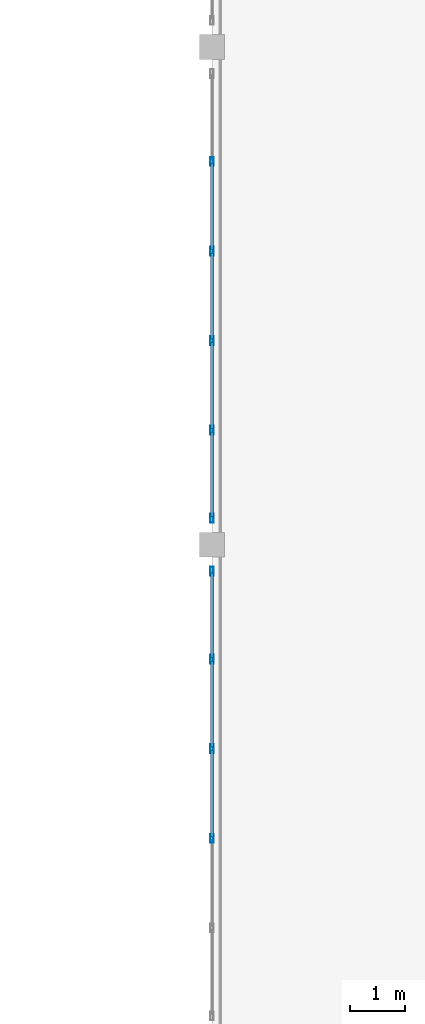
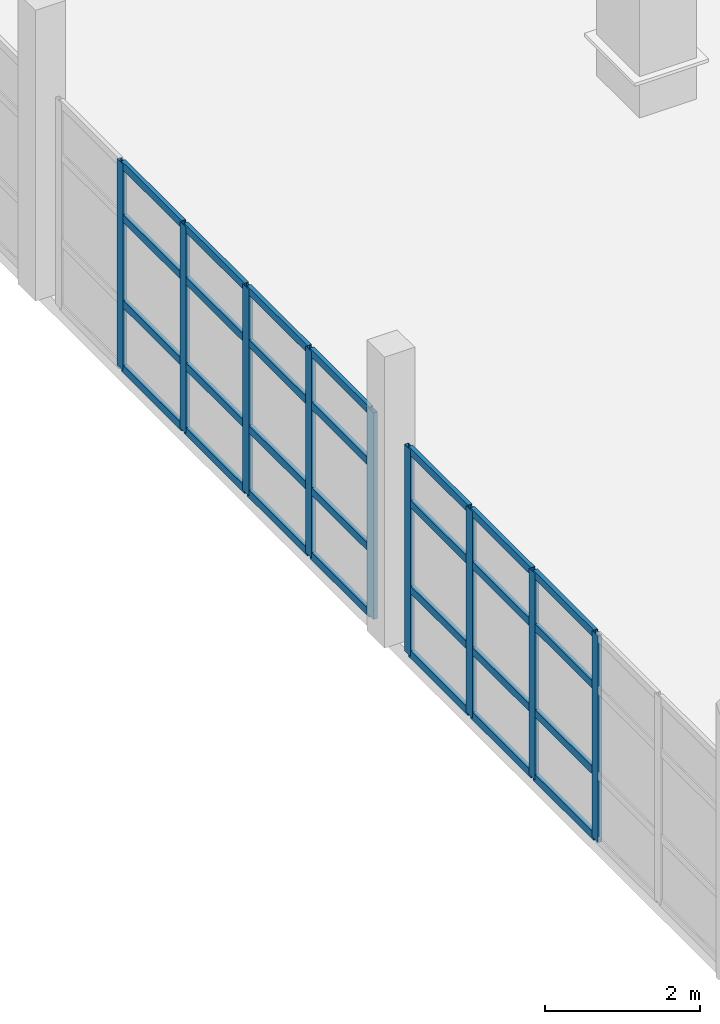
# One storey, part 17 of 80: 37 members, 2 elements without a shape of their own.
"""IFC4 building model written with IfcOpenShell, lengths in metres."""

from ifc_helpers import new_model, si_unit, direction, frame, origin, origin_2d, place, context, subcontext, project, spatial, hollow_rectangle, extrude, material, layer, layer_set, material_profile, profile_set, type_object, element, aggregate, save


model = new_model("IFC4")

# Units and contexts
model_context = context("Model", 3, precision=1e-05, world=origin(), true_north=direction((0.0, 1.0)))
body_context = subcontext(model_context, "Body", "Model", "MODEL_VIEW")
ifc_project = project(units=[si_unit("LENGTHUNIT", "METRE"), si_unit("AREAUNIT", "SQUARE_METRE"), si_unit("VOLUMEUNIT", "CUBIC_METRE"), si_unit("PLANEANGLEUNIT", "RADIAN"), si_unit("MASSUNIT", "GRAM", prefix="KILO")], contexts=[model_context])

# Site, building, storey
site_placement = place(None, origin())
site = spatial("IfcSite", under=ifc_project, at=site_placement, CompositionType="ELEMENT")
building_placement = place(site_placement, origin())
building = spatial("IfcBuilding", under=site, at=building_placement, Name="Ornek Quay Market", CompositionType="ELEMENT")
storey_placement = place(building_placement, frame((0.0, 0.0, 8.39990234375)))
storey = spatial("IfcBuildingStorey", under=building, at=storey_placement, Name="L02", CompositionType="ELEMENT", Elevation=8.39990234375)

# Curtain wall, members
ifc_material_1 = material(Name="Anodised bronze aluminium and triple low-e glass", Category="aluminium")
ifc_layer = layer(ifc_material_1, 0.139892578125, Name="Anodised bronze aluminium and triple low-e glass", Category="aluminium")
ifc_layer_set = layer_set([ifc_layer], Name="Anodised bronze aluminium and triple low-e glass")
curtain_wall_type = type_object("IfcCurtainWallType", Name="CW-GALLERY-INT", PredefinedType="USERDEFINED", material=ifc_layer_set)
curtain_wall_1_placement = place(storey_placement, origin())
curtain_wall_1 = element("IfcCurtainWall", 1, at=curtain_wall_1_placement, inside=storey, type_object=curtain_wall_type, Name="Curtain wall CW-116", ObjectType="CURTAIN WALL", PredefinedType="USERDEFINED")
ifc_material_2 = material(Name="Anodised aluminium 6063-T6", Category="aluminium")
ifc_material_profile_1 = material_profile(ifc_material_2, hollow_rectangle(XDim=0.06005859375, YDim=0.159912109375, WallThickness=0.00390625, at=origin_2d()), Name="CW-MUL-60x160", Category="aluminium")
ifc_profile_set_1 = profile_set([ifc_material_profile_1], Name="Anodised aluminium 6063-T6")
member_type_1 = type_object("IfcMemberType", Name="CW-MUL-60x160", PredefinedType="MULLION", material=ifc_profile_set_1)
member_1_placement = place(storey_placement, frame((108.0, 41.68994140625, 0.0), z_axis=(0.0, 0.0, 1.0), x_axis=(-1.0, 0.0, 0.0)))
member_1 = element("IfcMember", 2, at=member_1_placement, type_object=member_type_1, Name="CW-116 mullion 3", PredefinedType="MULLION", context=body_context, shape_type="SweptSolid", body=[
    extrude(hollow_rectangle(XDim=0.06005859375, YDim=0.159912109375, WallThickness=0.00390625, at=origin_2d()), origin(), (0.0, 0.0, 1.0), 3.25),
])
member_2_placement = place(storey_placement, frame((108.0, 43.31005859375, 0.0), z_axis=(0.0, 0.0, 1.0), x_axis=(-1.0, 0.0, 0.0)))
member_2 = element("IfcMember", 3, at=member_2_placement, type_object=member_type_1, Name="CW-116 mullion 4", PredefinedType="MULLION", context=body_context, shape_type="SweptSolid", body=[
    extrude(hollow_rectangle(XDim=0.06005859375, YDim=0.159912109375, WallThickness=0.00390625, at=origin_2d()), origin(), (0.0, 0.0, 1.0), 3.25),
])
member_3_placement = place(storey_placement, frame((108.0, 44.929931640625, 0.0), z_axis=(0.0, 0.0, 1.0), x_axis=(-1.0, 0.0, 0.0)))
member_3 = element("IfcMember", 4, at=member_3_placement, type_object=member_type_1, Name="CW-116 mullion 5", PredefinedType="MULLION", context=body_context, shape_type="SweptSolid", body=[
    extrude(hollow_rectangle(XDim=0.06005859375, YDim=0.159912109375, WallThickness=0.00390625, at=origin_2d()), origin(), (0.0, 0.0, 1.0), 3.25),
])
member_4_placement = place(storey_placement, frame((108.0, 46.52001953125, 0.0), z_axis=(0.0, 0.0, 1.0), x_axis=(-1.0, 0.0, 0.0)))
member_4 = element("IfcMember", 5, at=member_4_placement, type_object=member_type_1, Name="CW-116 mullion 6", PredefinedType="MULLION", context=body_context, shape_type="SweptSolid", body=[
    extrude(hollow_rectangle(XDim=0.06005859375, YDim=0.159912109375, WallThickness=0.00390625, at=origin_2d()), origin(), (0.0, 0.0, 1.0), 3.25),
])

curtain_wall_2_placement = place(storey_placement, origin())
curtain_wall_2 = element("IfcCurtainWall", 6, at=curtain_wall_2_placement, inside=storey, type_object=curtain_wall_type, Name="Curtain wall CW-117", ObjectType="CURTAIN WALL", PredefinedType="USERDEFINED")
member_5_placement = place(storey_placement, frame((108.0, 47.47998046875, 0.0), z_axis=(0.0, 0.0, 1.0), x_axis=(-1.0, 0.0, 0.0)))
member_5 = element("IfcMember", 7, at=member_5_placement, type_object=member_type_1, Name="CW-117 mullion 1", PredefinedType="MULLION", context=body_context, shape_type="SweptSolid", body=[
    extrude(hollow_rectangle(XDim=0.06005859375, YDim=0.159912109375, WallThickness=0.00390625, at=origin_2d()), origin(), (0.0, 0.0, 1.0), 3.25),
])
member_6_placement = place(storey_placement, frame((108.0, 49.070068359375, 0.0), z_axis=(0.0, 0.0, 1.0), x_axis=(-1.0, 0.0, 0.0)))
member_6 = element("IfcMember", 8, at=member_6_placement, type_object=member_type_1, Name="CW-117 mullion 2", PredefinedType="MULLION", context=body_context, shape_type="SweptSolid", body=[
    extrude(hollow_rectangle(XDim=0.06005859375, YDim=0.159912109375, WallThickness=0.00390625, at=origin_2d()), origin(), (0.0, 0.0, 1.0), 3.25),
])
member_7_placement = place(storey_placement, frame((108.0, 50.68994140625, 0.0), z_axis=(0.0, 0.0, 1.0), x_axis=(-1.0, 0.0, 0.0)))
member_7 = element("IfcMember", 9, at=member_7_placement, type_object=member_type_1, Name="CW-117 mullion 3", PredefinedType="MULLION", context=body_context, shape_type="SweptSolid", body=[
    extrude(hollow_rectangle(XDim=0.06005859375, YDim=0.159912109375, WallThickness=0.00390625, at=origin_2d()), origin(), (0.0, 0.0, 1.0), 3.25),
])
member_8_placement = place(storey_placement, frame((108.0, 52.31005859375, 0.0), z_axis=(0.0, 0.0, 1.0), x_axis=(-1.0, 0.0, 0.0)))
member_8 = element("IfcMember", 10, at=member_8_placement, type_object=member_type_1, Name="CW-117 mullion 4", PredefinedType="MULLION", context=body_context, shape_type="SweptSolid", body=[
    extrude(hollow_rectangle(XDim=0.06005859375, YDim=0.159912109375, WallThickness=0.00390625, at=origin_2d()), origin(), (0.0, 0.0, 1.0), 3.25),
])
member_9_placement = place(storey_placement, frame((108.0, 53.929931640625, 0.0), z_axis=(0.0, 0.0, 1.0), x_axis=(-1.0, 0.0, 0.0)))
member_9 = element("IfcMember", 11, at=member_9_placement, type_object=member_type_1, Name="CW-117 mullion 5", PredefinedType="MULLION", context=body_context, shape_type="SweptSolid", body=[
    extrude(hollow_rectangle(XDim=0.06005859375, YDim=0.159912109375, WallThickness=0.00390625, at=origin_2d()), origin(), (0.0, 0.0, 1.0), 3.25),
])

# Member
ifc_material_profile_2 = material_profile(ifc_material_2, hollow_rectangle(XDim=0.06005859375, YDim=0.1201171875, WallThickness=0.00390625, at=origin_2d()), Name="CW-TRN-60x120", Category="aluminium")
ifc_profile_set_2 = profile_set([ifc_material_profile_2], Name="Anodised aluminium 6063-T6")
member_type_2 = type_object("IfcMemberType", Name="CW-TRN-60x120", PredefinedType="USERDEFINED", material=ifc_profile_set_2)
member_10_placement = place(storey_placement, frame((108.0, 41.719970703125, 0.030029296875), z_axis=(0.0, 1.0, 0.0), x_axis=(-1.0, 0.0, 0.0)))
member_10 = element("IfcMember", 12, at=member_10_placement, type_object=member_type_2, Name="CW-116 transom 3.1", ObjectType="TRANSOM", PredefinedType="USERDEFINED", context=body_context, shape_type="SweptSolid", body=[
    extrude(hollow_rectangle(XDim=0.06005859375, YDim=0.1201171875, WallThickness=0.00390625, at=origin_2d()), origin(), (0.0, 0.0, 1.0), 1.56005859375),
])

member_11_placement = place(storey_placement, frame((108.0, 41.719970703125, 1.050048828125), z_axis=(0.0, 1.0, 0.0), x_axis=(-1.0, 0.0, 0.0)))
member_11 = element("IfcMember", 13, at=member_11_placement, type_object=member_type_2, Name="CW-116 transom 3.2", ObjectType="TRANSOM", PredefinedType="USERDEFINED", context=body_context, shape_type="SweptSolid", body=[
    extrude(hollow_rectangle(XDim=0.06005859375, YDim=0.1201171875, WallThickness=0.00390625, at=origin_2d()), origin(), (0.0, 0.0, 1.0), 1.56005859375),
])

member_12_placement = place(storey_placement, frame((108.0, 41.719970703125, 2.400146484375), z_axis=(0.0, 1.0, 0.0), x_axis=(-1.0, 0.0, 0.0)))
member_12 = element("IfcMember", 14, at=member_12_placement, type_object=member_type_2, Name="CW-116 transom 3.3", ObjectType="TRANSOM", PredefinedType="USERDEFINED", context=body_context, shape_type="SweptSolid", body=[
    extrude(hollow_rectangle(XDim=0.06005859375, YDim=0.1201171875, WallThickness=0.00390625, at=origin_2d()), origin(), (0.0, 0.0, 1.0), 1.56005859375),
])

member_13_placement = place(storey_placement, frame((108.0, 41.719970703125, 3.22021484375), z_axis=(0.0, 1.0, 0.0), x_axis=(-1.0, 0.0, 0.0)))
member_13 = element("IfcMember", 15, at=member_13_placement, type_object=member_type_2, Name="CW-116 transom 3.4", ObjectType="TRANSOM", PredefinedType="USERDEFINED", context=body_context, shape_type="SweptSolid", body=[
    extrude(hollow_rectangle(XDim=0.06005859375, YDim=0.1201171875, WallThickness=0.00390625, at=origin_2d()), origin(), (0.0, 0.0, 1.0), 1.56005859375),
])

member_14_placement = place(storey_placement, frame((108.0, 43.340087890625, 0.030029296875), z_axis=(0.0, 1.0, 0.0), x_axis=(-1.0, 0.0, 0.0)))
member_14 = element("IfcMember", 16, at=member_14_placement, type_object=member_type_2, Name="CW-116 transom 4.1", ObjectType="TRANSOM", PredefinedType="USERDEFINED", context=body_context, shape_type="SweptSolid", body=[
    extrude(hollow_rectangle(XDim=0.06005859375, YDim=0.1201171875, WallThickness=0.00390625, at=origin_2d()), origin(), (0.0, 0.0, 1.0), 1.559814453125),
])

member_15_placement = place(storey_placement, frame((108.0, 43.340087890625, 1.050048828125), z_axis=(0.0, 1.0, 0.0), x_axis=(-1.0, 0.0, 0.0)))
member_15 = element("IfcMember", 17, at=member_15_placement, type_object=member_type_2, Name="CW-116 transom 4.2", ObjectType="TRANSOM", PredefinedType="USERDEFINED", context=body_context, shape_type="SweptSolid", body=[
    extrude(hollow_rectangle(XDim=0.06005859375, YDim=0.1201171875, WallThickness=0.00390625, at=origin_2d()), origin(), (0.0, 0.0, 1.0), 1.559814453125),
])

member_16_placement = place(storey_placement, frame((108.0, 43.340087890625, 2.400146484375), z_axis=(0.0, 1.0, 0.0), x_axis=(-1.0, 0.0, 0.0)))
member_16 = element("IfcMember", 18, at=member_16_placement, type_object=member_type_2, Name="CW-116 transom 4.3", ObjectType="TRANSOM", PredefinedType="USERDEFINED", context=body_context, shape_type="SweptSolid", body=[
    extrude(hollow_rectangle(XDim=0.06005859375, YDim=0.1201171875, WallThickness=0.00390625, at=origin_2d()), origin(), (0.0, 0.0, 1.0), 1.559814453125),
])

member_17_placement = place(storey_placement, frame((108.0, 43.340087890625, 3.22021484375), z_axis=(0.0, 1.0, 0.0), x_axis=(-1.0, 0.0, 0.0)))
member_17 = element("IfcMember", 19, at=member_17_placement, type_object=member_type_2, Name="CW-116 transom 4.4", ObjectType="TRANSOM", PredefinedType="USERDEFINED", context=body_context, shape_type="SweptSolid", body=[
    extrude(hollow_rectangle(XDim=0.06005859375, YDim=0.1201171875, WallThickness=0.00390625, at=origin_2d()), origin(), (0.0, 0.0, 1.0), 1.559814453125),
])

member_18_placement = place(storey_placement, frame((108.0, 44.9599609375, 0.030029296875), z_axis=(0.0, 1.0, 0.0), x_axis=(-1.0, 0.0, 0.0)))
member_18 = element("IfcMember", 20, at=member_18_placement, type_object=member_type_2, Name="CW-116 transom 5.1", ObjectType="TRANSOM", PredefinedType="USERDEFINED", context=body_context, shape_type="SweptSolid", body=[
    extrude(hollow_rectangle(XDim=0.06005859375, YDim=0.1201171875, WallThickness=0.00390625, at=origin_2d()), origin(), (0.0, 0.0, 1.0), 1.530029296875),
])

member_19_placement = place(storey_placement, frame((108.0, 44.9599609375, 1.050048828125), z_axis=(0.0, 1.0, 0.0), x_axis=(-1.0, 0.0, 0.0)))
member_19 = element("IfcMember", 21, at=member_19_placement, type_object=member_type_2, Name="CW-116 transom 5.2", ObjectType="TRANSOM", PredefinedType="USERDEFINED", context=body_context, shape_type="SweptSolid", body=[
    extrude(hollow_rectangle(XDim=0.06005859375, YDim=0.1201171875, WallThickness=0.00390625, at=origin_2d()), origin(), (0.0, 0.0, 1.0), 1.530029296875),
])

member_20_placement = place(storey_placement, frame((108.0, 44.9599609375, 2.400146484375), z_axis=(0.0, 1.0, 0.0), x_axis=(-1.0, 0.0, 0.0)))
member_20 = element("IfcMember", 22, at=member_20_placement, type_object=member_type_2, Name="CW-116 transom 5.3", ObjectType="TRANSOM", PredefinedType="USERDEFINED", context=body_context, shape_type="SweptSolid", body=[
    extrude(hollow_rectangle(XDim=0.06005859375, YDim=0.1201171875, WallThickness=0.00390625, at=origin_2d()), origin(), (0.0, 0.0, 1.0), 1.530029296875),
])

member_21_placement = place(storey_placement, frame((108.0, 44.9599609375, 3.22021484375), z_axis=(0.0, 1.0, 0.0), x_axis=(-1.0, 0.0, 0.0)))
member_21 = element("IfcMember", 23, at=member_21_placement, type_object=member_type_2, Name="CW-116 transom 5.4", ObjectType="TRANSOM", PredefinedType="USERDEFINED", context=body_context, shape_type="SweptSolid", body=[
    extrude(hollow_rectangle(XDim=0.06005859375, YDim=0.1201171875, WallThickness=0.00390625, at=origin_2d()), origin(), (0.0, 0.0, 1.0), 1.530029296875),
])

aggregate(curtain_wall_1, [member_1, member_2, member_3, member_4, member_10, member_11, member_12, member_13, member_14, member_15, member_16, member_17, member_18, member_19, member_20, member_21])

member_22_placement = place(storey_placement, frame((108.0, 47.510009765625, 0.030029296875), z_axis=(0.0, 1.0, 0.0), x_axis=(-1.0, 0.0, 0.0)))
member_22 = element("IfcMember", 24, at=member_22_placement, type_object=member_type_2, Name="CW-117 transom 1.1", ObjectType="TRANSOM", PredefinedType="USERDEFINED", context=body_context, shape_type="SweptSolid", body=[
    extrude(hollow_rectangle(XDim=0.06005859375, YDim=0.1201171875, WallThickness=0.00390625, at=origin_2d()), origin(), (0.0, 0.0, 1.0), 1.530029296875),
])

member_23_placement = place(storey_placement, frame((108.0, 47.510009765625, 1.050048828125), z_axis=(0.0, 1.0, 0.0), x_axis=(-1.0, 0.0, 0.0)))
member_23 = element("IfcMember", 25, at=member_23_placement, type_object=member_type_2, Name="CW-117 transom 1.2", ObjectType="TRANSOM", PredefinedType="USERDEFINED", context=body_context, shape_type="SweptSolid", body=[
    extrude(hollow_rectangle(XDim=0.06005859375, YDim=0.1201171875, WallThickness=0.00390625, at=origin_2d()), origin(), (0.0, 0.0, 1.0), 1.530029296875),
])

member_24_placement = place(storey_placement, frame((108.0, 47.510009765625, 2.400146484375), z_axis=(0.0, 1.0, 0.0), x_axis=(-1.0, 0.0, 0.0)))
member_24 = element("IfcMember", 26, at=member_24_placement, type_object=member_type_2, Name="CW-117 transom 1.3", ObjectType="TRANSOM", PredefinedType="USERDEFINED", context=body_context, shape_type="SweptSolid", body=[
    extrude(hollow_rectangle(XDim=0.06005859375, YDim=0.1201171875, WallThickness=0.00390625, at=origin_2d()), origin(), (0.0, 0.0, 1.0), 1.530029296875),
])

member_25_placement = place(storey_placement, frame((108.0, 47.510009765625, 3.22021484375), z_axis=(0.0, 1.0, 0.0), x_axis=(-1.0, 0.0, 0.0)))
member_25 = element("IfcMember", 27, at=member_25_placement, type_object=member_type_2, Name="CW-117 transom 1.4", ObjectType="TRANSOM", PredefinedType="USERDEFINED", context=body_context, shape_type="SweptSolid", body=[
    extrude(hollow_rectangle(XDim=0.06005859375, YDim=0.1201171875, WallThickness=0.00390625, at=origin_2d()), origin(), (0.0, 0.0, 1.0), 1.530029296875),
])

member_26_placement = place(storey_placement, frame((108.0, 49.10009765625, 0.030029296875), z_axis=(0.0, 1.0, 0.0), x_axis=(-1.0, 0.0, 0.0)))
member_26 = element("IfcMember", 28, at=member_26_placement, type_object=member_type_2, Name="CW-117 transom 2.1", ObjectType="TRANSOM", PredefinedType="USERDEFINED", context=body_context, shape_type="SweptSolid", body=[
    extrude(hollow_rectangle(XDim=0.06005859375, YDim=0.1201171875, WallThickness=0.00390625, at=origin_2d()), origin(), (0.0, 0.0, 1.0), 1.559814453125),
])

member_27_placement = place(storey_placement, frame((108.0, 49.10009765625, 1.050048828125), z_axis=(0.0, 1.0, 0.0), x_axis=(-1.0, 0.0, 0.0)))
member_27 = element("IfcMember", 29, at=member_27_placement, type_object=member_type_2, Name="CW-117 transom 2.2", ObjectType="TRANSOM", PredefinedType="USERDEFINED", context=body_context, shape_type="SweptSolid", body=[
    extrude(hollow_rectangle(XDim=0.06005859375, YDim=0.1201171875, WallThickness=0.00390625, at=origin_2d()), origin(), (0.0, 0.0, 1.0), 1.559814453125),
])

member_28_placement = place(storey_placement, frame((108.0, 49.10009765625, 2.400146484375), z_axis=(0.0, 1.0, 0.0), x_axis=(-1.0, 0.0, 0.0)))
member_28 = element("IfcMember", 30, at=member_28_placement, type_object=member_type_2, Name="CW-117 transom 2.3", ObjectType="TRANSOM", PredefinedType="USERDEFINED", context=body_context, shape_type="SweptSolid", body=[
    extrude(hollow_rectangle(XDim=0.06005859375, YDim=0.1201171875, WallThickness=0.00390625, at=origin_2d()), origin(), (0.0, 0.0, 1.0), 1.559814453125),
])

member_29_placement = place(storey_placement, frame((108.0, 49.10009765625, 3.22021484375), z_axis=(0.0, 1.0, 0.0), x_axis=(-1.0, 0.0, 0.0)))
member_29 = element("IfcMember", 31, at=member_29_placement, type_object=member_type_2, Name="CW-117 transom 2.4", ObjectType="TRANSOM", PredefinedType="USERDEFINED", context=body_context, shape_type="SweptSolid", body=[
    extrude(hollow_rectangle(XDim=0.06005859375, YDim=0.1201171875, WallThickness=0.00390625, at=origin_2d()), origin(), (0.0, 0.0, 1.0), 1.559814453125),
])

member_30_placement = place(storey_placement, frame((108.0, 50.719970703125, 0.030029296875), z_axis=(0.0, 1.0, 0.0), x_axis=(-1.0, 0.0, 0.0)))
member_30 = element("IfcMember", 32, at=member_30_placement, type_object=member_type_2, Name="CW-117 transom 3.1", ObjectType="TRANSOM", PredefinedType="USERDEFINED", context=body_context, shape_type="SweptSolid", body=[
    extrude(hollow_rectangle(XDim=0.06005859375, YDim=0.1201171875, WallThickness=0.00390625, at=origin_2d()), origin(), (0.0, 0.0, 1.0), 1.56005859375),
])

member_31_placement = place(storey_placement, frame((108.0, 50.719970703125, 1.050048828125), z_axis=(0.0, 1.0, 0.0), x_axis=(-1.0, 0.0, 0.0)))
member_31 = element("IfcMember", 33, at=member_31_placement, type_object=member_type_2, Name="CW-117 transom 3.2", ObjectType="TRANSOM", PredefinedType="USERDEFINED", context=body_context, shape_type="SweptSolid", body=[
    extrude(hollow_rectangle(XDim=0.06005859375, YDim=0.1201171875, WallThickness=0.00390625, at=origin_2d()), origin(), (0.0, 0.0, 1.0), 1.56005859375),
])

member_32_placement = place(storey_placement, frame((108.0, 50.719970703125, 2.400146484375), z_axis=(0.0, 1.0, 0.0), x_axis=(-1.0, 0.0, 0.0)))
member_32 = element("IfcMember", 34, at=member_32_placement, type_object=member_type_2, Name="CW-117 transom 3.3", ObjectType="TRANSOM", PredefinedType="USERDEFINED", context=body_context, shape_type="SweptSolid", body=[
    extrude(hollow_rectangle(XDim=0.06005859375, YDim=0.1201171875, WallThickness=0.00390625, at=origin_2d()), origin(), (0.0, 0.0, 1.0), 1.56005859375),
])

member_33_placement = place(storey_placement, frame((108.0, 50.719970703125, 3.22021484375), z_axis=(0.0, 1.0, 0.0), x_axis=(-1.0, 0.0, 0.0)))
member_33 = element("IfcMember", 35, at=member_33_placement, type_object=member_type_2, Name="CW-117 transom 3.4", ObjectType="TRANSOM", PredefinedType="USERDEFINED", context=body_context, shape_type="SweptSolid", body=[
    extrude(hollow_rectangle(XDim=0.06005859375, YDim=0.1201171875, WallThickness=0.00390625, at=origin_2d()), origin(), (0.0, 0.0, 1.0), 1.56005859375),
])

member_34_placement = place(storey_placement, frame((108.0, 52.340087890625, 0.030029296875), z_axis=(0.0, 1.0, 0.0), x_axis=(-1.0, 0.0, 0.0)))
member_34 = element("IfcMember", 36, at=member_34_placement, type_object=member_type_2, Name="CW-117 transom 4.1", ObjectType="TRANSOM", PredefinedType="USERDEFINED", context=body_context, shape_type="SweptSolid", body=[
    extrude(hollow_rectangle(XDim=0.06005859375, YDim=0.1201171875, WallThickness=0.00390625, at=origin_2d()), origin(), (0.0, 0.0, 1.0), 1.559814453125),
])

member_35_placement = place(storey_placement, frame((108.0, 52.340087890625, 1.050048828125), z_axis=(0.0, 1.0, 0.0), x_axis=(-1.0, 0.0, 0.0)))
member_35 = element("IfcMember", 37, at=member_35_placement, type_object=member_type_2, Name="CW-117 transom 4.2", ObjectType="TRANSOM", PredefinedType="USERDEFINED", context=body_context, shape_type="SweptSolid", body=[
    extrude(hollow_rectangle(XDim=0.06005859375, YDim=0.1201171875, WallThickness=0.00390625, at=origin_2d()), origin(), (0.0, 0.0, 1.0), 1.559814453125),
])

member_36_placement = place(storey_placement, frame((108.0, 52.340087890625, 2.400146484375), z_axis=(0.0, 1.0, 0.0), x_axis=(-1.0, 0.0, 0.0)))
member_36 = element("IfcMember", 38, at=member_36_placement, type_object=member_type_2, Name="CW-117 transom 4.3", ObjectType="TRANSOM", PredefinedType="USERDEFINED", context=body_context, shape_type="SweptSolid", body=[
    extrude(hollow_rectangle(XDim=0.06005859375, YDim=0.1201171875, WallThickness=0.00390625, at=origin_2d()), origin(), (0.0, 0.0, 1.0), 1.559814453125),
])

member_37_placement = place(storey_placement, frame((108.0, 52.340087890625, 3.22021484375), z_axis=(0.0, 1.0, 0.0), x_axis=(-1.0, 0.0, 0.0)))
member_37 = element("IfcMember", 39, at=member_37_placement, type_object=member_type_2, Name="CW-117 transom 4.4", ObjectType="TRANSOM", PredefinedType="USERDEFINED", context=body_context, shape_type="SweptSolid", body=[
    extrude(hollow_rectangle(XDim=0.06005859375, YDim=0.1201171875, WallThickness=0.00390625, at=origin_2d()), origin(), (0.0, 0.0, 1.0), 1.559814453125),
])

aggregate(curtain_wall_2, [member_5, member_6, member_7, member_8, member_9, member_22, member_23, member_24, member_25, member_26, member_27, member_28, member_29, member_30, member_31, member_32, member_33, member_34, member_35, member_36, member_37])

save(model, "model.ifc")
